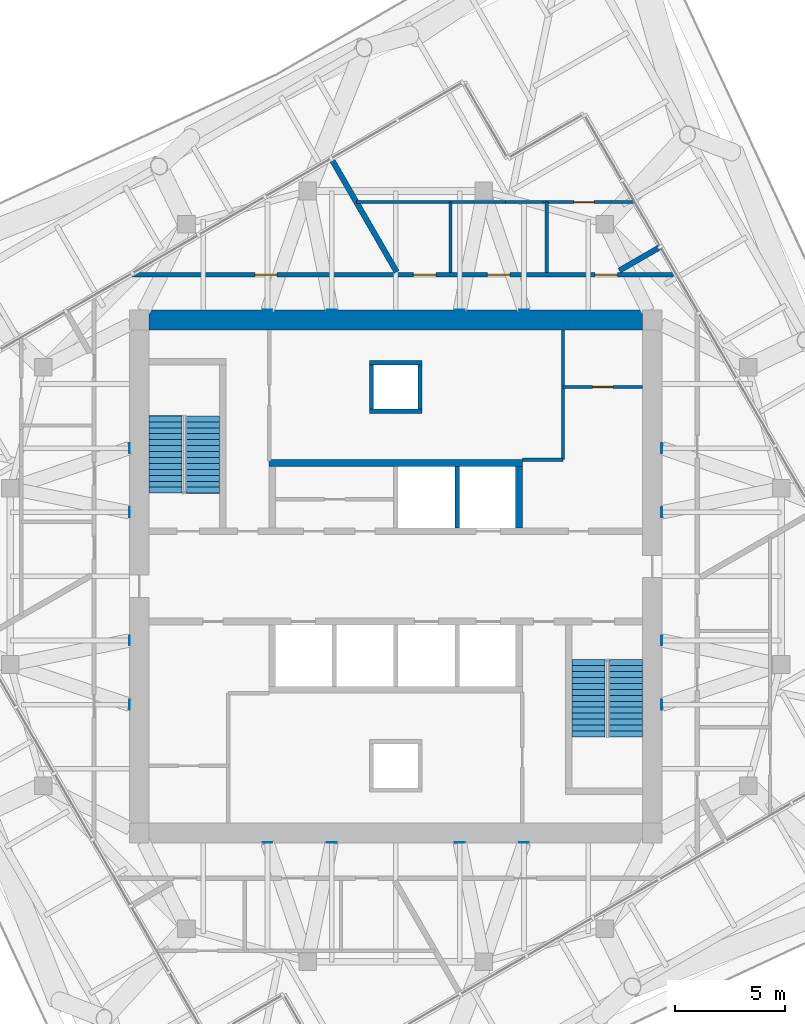
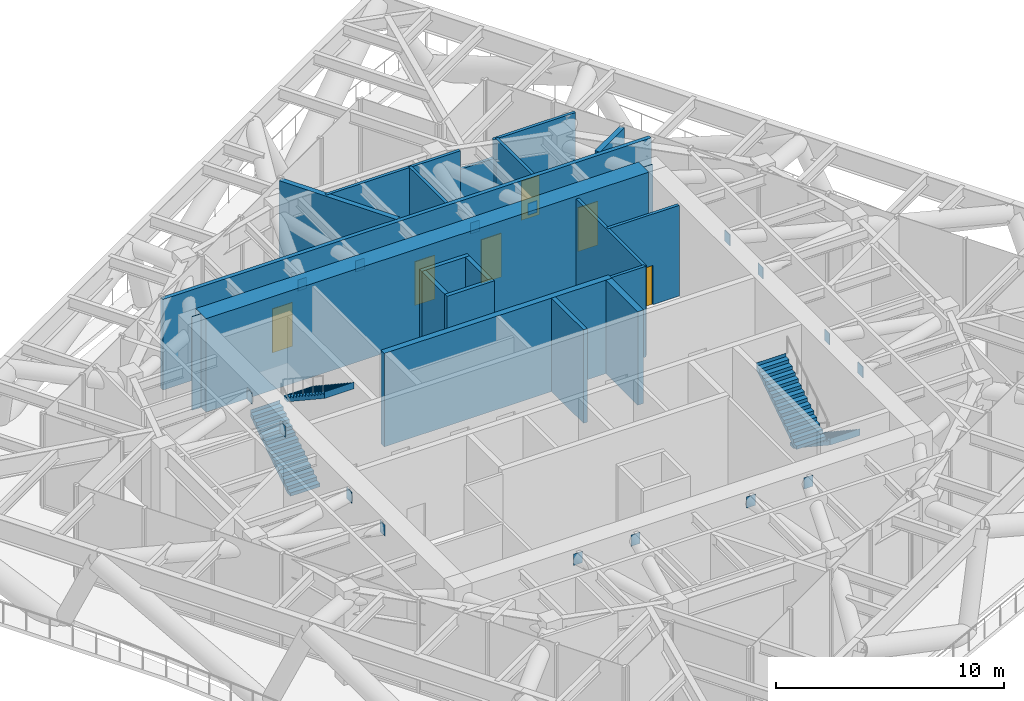
# One storey, part 10 of 12: 19 walls, 16 discrete accessories, 6 doors, 4 stair flights, 6 openings, 2 elements without a shape of their own.
"""IFC4 building model written with IfcOpenShell, lengths in metres."""

import ifcopenshell
import ifcopenshell.guid

model = None  # the IFC model being written
_history = None  # IfcOwnerHistory: only IFC2X3 demands one
_inside = {}  # id of a spatial element -> (the spatial element, [elements in it])
_under = {}  # id of a project, library or spatial element -> (it, [spatial elements below it])
_declared = {}  # id of a project -> (the project, [libraries it declares])
_typed = {}  # id of a type object -> (the type object, [elements of that type])
_made_of = {}  # id of a material, layer set ... -> (it, [elements and type objects made of it])


def new_model(schema):
    """Start an empty IFC model of exactly this schema.

    Asked for "IFC4X3", IfcOpenShell would pick the latest addendum, in which some entities
    have other attributes; the version numbers below select the first issue.
    IFC2X3 requires an IfcOwnerHistory on every rooted entity: one is made here for all.
    """
    global model, _history
    if schema == "IFC4X3":
        model = ifcopenshell.file(schema_version=(4, 3, 0, 0))
    else:
        model = ifcopenshell.file(schema=schema)
    _inside.clear()
    _under.clear()
    _declared.clear()
    _typed.clear()
    _made_of.clear()
    _history = None
    if model.schema == "IFC2X3":
        org = make("IfcOrganization", Name="unknown")
        user = make(
            "IfcPersonAndOrganization",
            ThePerson=make("IfcPerson", FamilyName="unknown"),
            TheOrganization=org,
        )
        app = make(
            "IfcApplication",
            ApplicationDeveloper=org,
            Version="unknown",
            ApplicationFullName="unknown",
            ApplicationIdentifier="unknown",
        )
        _history = make(
            "IfcOwnerHistory",
            OwningUser=user,
            OwningApplication=app,
            ChangeAction="ADDED",
            CreationDate=0,
        )
    return model


def make(cls, **values):
    """One entity of the class cls with the attributes given. An attribute that is None is left unset."""
    return model.create_entity(
        cls, **{name: value for name, value in values.items() if value is not None}
    )


def rooted(cls, **values):
    """An entity with a GlobalId (a new one), such as an element, a storey or a relation."""
    return make(cls, GlobalId=ifcopenshell.guid.new(), OwnerHistory=_history, **values)


def si_unit(unit_type, name, prefix=None):
    """IfcSIUnit, for example si_unit("LENGTHUNIT", "METRE", prefix="MILLI")."""
    return make("IfcSIUnit", UnitType=unit_type, Prefix=prefix, Name=name)


def assignment(units):
    """IfcUnitAssignment: the units of a project."""
    return None if units is None else make("IfcUnitAssignment", Units=units)


def point(xyz):
    """IfcCartesianPoint."""
    return None if xyz is None else make("IfcCartesianPoint", Coordinates=xyz)


def direction(xyz):
    """IfcDirection."""
    return None if xyz is None else make("IfcDirection", DirectionRatios=xyz)


def frame(location, z_axis=None, x_axis=None):
    """IfcAxis2Placement3D, a coordinate frame: its origin and axes. An axis left out is left unset."""
    return make(
        "IfcAxis2Placement3D",
        Location=point(location),
        Axis=direction(z_axis),
        RefDirection=direction(x_axis),
    )


def frame_2d(location, x_axis=None):
    """IfcAxis2Placement2D, a coordinate frame in the plane: its origin and x axis."""
    return make(
        "IfcAxis2Placement2D", Location=point(location), RefDirection=direction(x_axis)
    )


def origin():
    """The frame at (0, 0, 0) with its axes left unset."""
    return frame((0.0, 0.0, 0.0))


def origin_2d():
    """The frame at (0, 0) in the plane with its x axis left unset."""
    return frame_2d((0.0, 0.0))


def place(relative_to, where):
    """IfcLocalPlacement: puts the frame where relative to a parent placement (None: the world)."""
    return make(
        "IfcLocalPlacement", PlacementRelTo=relative_to, RelativePlacement=where
    )


def context(
    kind, dimensions, precision=None, world=None, true_north=None, identifier=None
):
    """IfcGeometricRepresentationContext, for example the 3D "Model" context."""
    return make(
        "IfcGeometricRepresentationContext",
        ContextIdentifier=identifier,
        ContextType=kind,
        CoordinateSpaceDimension=dimensions,
        Precision=precision,
        WorldCoordinateSystem=world,
        TrueNorth=true_north,
    )


def subcontext(parent, identifier, kind, view, scale=None):
    """IfcGeometricRepresentationSubContext, for example "Body" below "Model"."""
    return make(
        "IfcGeometricRepresentationSubContext",
        ContextIdentifier=identifier,
        ContextType=kind,
        ParentContext=parent,
        TargetScale=scale,
        TargetView=view,
    )


def project(units=None, contexts=None):
    """IfcProject with its units and contexts."""
    return rooted(
        "IfcProject",
        Name="project",
        RepresentationContexts=contexts,
        UnitsInContext=assignment(units),
    )


def spatial(cls, under=None, at=None, **own):
    """A site, building, storey or space (cls), placed at a placement, below another one or the project."""
    s = rooted(cls, ObjectPlacement=at, **own)
    if under is not None:
        _under.setdefault(under.id(), (under, []))[1].append(s)
    return s


def polyline(points):
    """IfcPolyline through the points."""
    return make("IfcPolyline", Points=[point(p) for p in points])


def profile(cls, at=None, kind="AREA", **sizes):
    """A parametric profile (cls). Its sizes go by their IFC names, for example OverallWidth=200.0."""
    return make(cls, ProfileType=kind, Position=at, **sizes)


def rectangle(**sizes):
    """IfcRectangleProfileDef."""
    return profile("IfcRectangleProfileDef", **sizes)


def outline(outer, holes=None, kind="AREA"):
    """IfcArbitraryClosedProfileDef: a profile drawn as a closed curve; with holes, ...WithVoids."""
    if holes is None:
        return make("IfcArbitraryClosedProfileDef", ProfileType=kind, OuterCurve=outer)
    return make(
        "IfcArbitraryProfileDefWithVoids",
        ProfileType=kind,
        OuterCurve=outer,
        InnerCurves=holes,
    )


def extrude(swept, where, along, depth):
    """IfcExtrudedAreaSolid: the profile swept, set in the frame where, extruded along a direction by depth."""
    return make(
        "IfcExtrudedAreaSolid",
        SweptArea=swept,
        Position=where,
        ExtrudedDirection=direction(along),
        Depth=depth,
    )


def shape(context_of_items, identifier, shape_type, items):
    """IfcShapeRepresentation: the items that make up one representation, for example the "Body"."""
    return make(
        "IfcShapeRepresentation",
        ContextOfItems=context_of_items,
        RepresentationIdentifier=identifier,
        RepresentationType=shape_type,
        Items=items,
    )


def material(Name=None, Category=None):
    """IfcMaterial."""
    return make("IfcMaterial", Name=Name, Category=Category)


def layer(
    of_material, thickness, ventilated=None, Name=None, Category=None, Priority=None
):
    """IfcMaterialLayer: one layer of a wall or slab, of a material (None: an air gap)."""
    return make(
        "IfcMaterialLayer",
        Material=of_material,
        LayerThickness=thickness,
        IsVentilated=ventilated,
        Name=Name,
        Category=Category,
        Priority=Priority,
    )


def layer_set(layers, Name=None):
    """IfcMaterialLayerSet."""
    return make("IfcMaterialLayerSet", MaterialLayers=layers, LayerSetName=Name)


def made_of(thing, what):
    """Note that an element or type object is made of a material, layer set ...; save() writes the relation."""
    if what is not None:
        _made_of.setdefault(what.id(), (what, []))[1].append(thing)
    return thing


def type_object(cls, material=None, **own):
    """A type object (cls), such as IfcWallType, which elements share."""
    return made_of(rooted(cls, **own), material)


def element(
    cls,
    number,
    at=None,
    inside=None,
    cuts=None,
    type_object=None,
    material=None,
    context=None,
    identifier="Body",
    shape_type=None,
    held_by="IfcProductDefinitionShape",
    body=None,
    shapes=None,
    **own,
):
    """One element of the class cls, such as IfcWall. Its Tag is "e" and its number.

    at: its placement. inside: the storey or other place that contains it. cuts: it is an
    opening in that element (IfcRelVoidsElement). A single representation is given by context,
    identifier, shape_type and body (its items); several are given by shapes. held_by: the class
    of the entity that holds the representations. save() writes the other relations.
    """
    e = rooted(cls, Tag="e%d" % number, ObjectPlacement=at, **own)
    if body is not None:
        shapes = [shape(context, identifier, shape_type, body)]
    if shapes is not None:
        e.Representation = make(held_by, Representations=shapes)
    if inside is not None:
        _inside.setdefault(inside.id(), (inside, []))[1].append(e)
    if cuts is not None:
        rooted(
            "IfcRelVoidsElement", RelatingBuildingElement=cuts, RelatedOpeningElement=e
        )
    if type_object is not None:
        _typed.setdefault(type_object.id(), (type_object, []))[1].append(e)
    return made_of(e, material)


def fill(opening, filler):
    """IfcRelFillsElement: the door or window that sits in an opening."""
    return rooted(
        "IfcRelFillsElement",
        RelatingOpeningElement=opening,
        RelatedBuildingElement=filler,
    )


def aggregate(whole, parts):
    """IfcRelAggregates: a whole, such as a stair, and the parts it consists of."""
    return rooted("IfcRelAggregates", RelatingObject=whole, RelatedObjects=parts)


def save(model, path):
    """Write the relations noted so far, then the file.

    IfcRelAggregates (storeys below a building ...), IfcRelContainedInSpatialStructure (elements
    in a storey), IfcRelDefinesByType, IfcRelAssociatesMaterial and IfcRelDeclares: one each for
    every whole, place, type object, material and project.
    """
    for whole, parts in _under.values():
        aggregate(whole, parts)
    for where, things in _inside.values():
        rooted(
            "IfcRelContainedInSpatialStructure",
            RelatedElements=things,
            RelatingStructure=where,
        )
    for kind, things in _typed.values():
        rooted("IfcRelDefinesByType", RelatedObjects=things, RelatingType=kind)
    for what, things in _made_of.values():
        rooted("IfcRelAssociatesMaterial", RelatedObjects=things, RelatingMaterial=what)
    for by, libraries in _declared.values():
        rooted("IfcRelDeclares", RelatingContext=by, RelatedDefinitions=libraries)
    model.write(path)


model = new_model("IFC4")

# Units and contexts
model_context = context("Model", 3, precision=1e-05, world=origin(), true_north=direction((0.0, 1.0)))
body_context = subcontext(model_context, "Body", "Model", "MODEL_VIEW")
ifc_project = project(units=[si_unit("LENGTHUNIT", "METRE"), si_unit("AREAUNIT", "SQUARE_METRE"), si_unit("VOLUMEUNIT", "CUBIC_METRE"), si_unit("PLANEANGLEUNIT", "RADIAN"), si_unit("MASSUNIT", "GRAM", prefix="KILO")], contexts=[model_context])

# Site, building, storey
site_placement = place(None, origin())
site = spatial("IfcSite", under=ifc_project, at=site_placement, CompositionType="ELEMENT")
building_placement = place(site_placement, origin())
building = spatial("IfcBuilding", under=site, at=building_placement, Name="Torsade Residences", CompositionType="ELEMENT")
storey_placement = place(building_placement, frame((0.0, 0.0, 203.199951171875)))
storey = spatial("IfcBuildingStorey", under=building, at=storey_placement, Name="L56", CompositionType="ELEMENT", Elevation=203.199951171875)

# Walls
ifc_material_1 = material(Name="Concrete 80 MPa", Category="concrete")
ifc_layer_1 = layer(ifc_material_1, 0.300048828125)
ifc_layer_set_1 = layer_set([ifc_layer_1], Name="Concrete 80 MPa")
wall_type_1 = type_object("IfcWallType", Name="CORE INTERNAL WALL 300", PredefinedType="SHEAR", material=ifc_layer_set_1)
wall_1_placement = place(storey_placement, frame((34.25, 35.14990234375, 0.0), z_axis=(0.0, 0.0, 1.0), x_axis=(1.0, 0.0, 0.0)))
element("IfcWall", 1, at=wall_1_placement, inside=storey, type_object=wall_type_1, Name="Core wall BN L56", PredefinedType="SHEAR", context=body_context, shape_type="SweptSolid", body=[
    extrude(rectangle(XDim=11.5, YDim=0.300048828125, at=frame_2d((5.75, 0.0))), origin(), (0.0, 0.0, 1.0), 5.0),
])
wall_2_placement = place(storey_placement, frame((45.60009765625, 32.199951171875, 0.0), z_axis=(0.0, 0.0, 1.0), x_axis=(0.0, 1.0, 0.0)))
element("IfcWall", 2, at=wall_2_placement, inside=storey, type_object=wall_type_1, Name="Core wall DN4 L56", PredefinedType="SHEAR", context=body_context, shape_type="SweptSolid", body=[
    extrude(rectangle(XDim=2.800048828125, YDim=0.300048828125, at=frame_2d((1.39990234375, 0.0))), origin(), (0.0, 0.0, 1.0), 5.0),
])
ifc_material_2 = material(Name="Concrete 80 MPa", Category="concrete")
ifc_layer_2 = layer(ifc_material_2, 0.89990234375)
ifc_layer_set_2 = layer_set([ifc_layer_2], Name="Concrete 80 MPa")
wall_type_2 = type_object("IfcWallType", Name="CORE WALL 900", PredefinedType="SHEAR", material=ifc_layer_set_2)
wall_3_placement = place(storey_placement, frame((28.800048828125, 41.64990234375, 0.0), z_axis=(0.0, 0.0, 1.0), x_axis=(1.0, 0.0, 0.0)))
element("IfcWall", 3, at=wall_3_placement, inside=storey, type_object=wall_type_2, Name="Core wall N L56", PredefinedType="SHEAR", context=body_context, shape_type="SweptSolid", body=[
    extrude(outline(polyline([(0.0, -0.449951171875), (22.39990234375, -0.449951171875), (22.39990234375, -0.02490234375), (22.849853515625, -0.02490234375), (22.849853515625, 0.02490234375), (22.39990234375, 0.02490234375), (22.39990234375, 0.449951171875), (0.0, 0.449951171875), (0.0, 0.02490234375), (-0.449951171875, 0.02490234375), (-0.449951171875, -0.02490234375), (0.0, -0.02490234375), (0.0, -0.449951171875)])), origin(), (0.0, 0.0, 1.0), 5.0),
])

# Wall, openings, doors
ifc_material_3 = material(Name="Plasterboard on steel stud", Category="steel")
ifc_layer_3 = layer(ifc_material_3, 0.199951171875)
ifc_layer_set_3 = layer_set([ifc_layer_3], Name="Plasterboard on steel stud")
wall_type_3 = type_object("IfcWallType", Name="CORRIDOR WALL 200", PredefinedType="PARTITIONING", material=ifc_layer_set_3)
wall_4_placement = place(storey_placement, frame((52.713134765625, 43.699951171875, 0.0), z_axis=(0.0, 0.0, 1.0), x_axis=(-1.0, 0.0, 0.0)))
wall_4 = element("IfcWall", 4, at=wall_4_placement, inside=storey, type_object=wall_type_3, Name="Corridor wall L56", PredefinedType="PARTITIONING", context=body_context, shape_type="SweptSolid", body=[
    extrude(rectangle(XDim=24.7041015625, YDim=0.199951171875, at=frame_2d((12.35205078125, 0.0))), origin(), (0.0, 0.0, 1.0), 4.85009765625),
])
opening_1_placement = place(wall_4_placement, frame((18.094482421875, 0.0, 0.0)))
opening_1 = element("IfcOpeningElement", 5, at=opening_1_placement, cuts=wall_4, Name="Opening D01", PredefinedType="OPENING", context=body_context, shape_type="SweptSolid", body=[
    extrude(rectangle(XDim=1.02001953125, YDim=2.340087890625, at=frame_2d((0.510009765625, 1.169921875))), frame((0.0, 0.10986328125, 0.0), z_axis=(0.0, -1.0, 0.0), x_axis=(1.0, 0.0, 0.0)), (0.0, 0.0, 1.0), 0.219970703125),
])
opening_2_placement = place(wall_4_placement, frame((2.642333984375, 0.0, 0.0)))
opening_2 = element("IfcOpeningElement", 6, at=opening_2_placement, cuts=wall_4, Name="Opening D01", PredefinedType="OPENING", context=body_context, shape_type="SweptSolid", body=[
    extrude(rectangle(XDim=1.02001953125, YDim=2.340087890625, at=frame_2d((0.510009765625, 1.169921875))), frame((0.0, 0.10986328125, 0.0), z_axis=(0.0, -1.0, 0.0), x_axis=(1.0, 0.0, 0.0)), (0.0, 0.0, 1.0), 0.219970703125),
])
opening_3_placement = place(wall_4_placement, frame((7.533935546875, 0.0, 0.0)))
opening_3 = element("IfcOpeningElement", 7, at=opening_3_placement, cuts=wall_4, Name="Opening D01", PredefinedType="OPENING", context=body_context, shape_type="SweptSolid", body=[
    extrude(rectangle(XDim=1.02001953125, YDim=2.340087890625, at=frame_2d((0.510009765625, 1.169921875))), frame((0.0, 0.10986328125, 0.0), z_axis=(0.0, -1.0, 0.0), x_axis=(1.0, 0.0, 0.0)), (0.0, 0.0, 1.0), 0.219970703125),
])
opening_4_placement = place(wall_4_placement, frame((10.894287109375, 0.0, 0.0)))
opening_4 = element("IfcOpeningElement", 8, at=opening_4_placement, cuts=wall_4, Name="Opening D01", PredefinedType="OPENING", context=body_context, shape_type="SweptSolid", body=[
    extrude(rectangle(XDim=1.02001953125, YDim=2.340087890625, at=frame_2d((0.510009765625, 1.169921875))), frame((0.0, 0.10986328125, 0.0), z_axis=(0.0, -1.0, 0.0), x_axis=(1.0, 0.0, 0.0)), (0.0, 0.0, 1.0), 0.219970703125),
])
ifc_material_4 = material(Name="Solid-core timber fire door", Category="wood")
door_type_1 = type_object("IfcDoorType", Name="APARTMENT ENTRY DOOR 1020x2340", OperationType="NOTDEFINED", PredefinedType="DOOR", material=ifc_material_4)
door_1_placement = place(opening_1_placement, origin())
door_1 = element("IfcDoor", 9, at=door_1_placement, inside=storey, type_object=door_type_1, Name="Door Plant corridor to Air handling plant room", OperationType="SINGLE_SWING_RIGHT", OverallHeight=2.340087890625, OverallWidth=1.02001953125, PredefinedType="DOOR", context=body_context, shape_type="SweptSolid", body=[
    extrude(rectangle(XDim=1.02001953125, YDim=2.340087890625, at=frame_2d((0.510009765625, 1.169921875))), frame((0.0, 0.02490234375, 0.0), z_axis=(0.0, -1.0, 0.0), x_axis=(1.0, 0.0, 0.0)), (0.0, 0.0, 1.0), 0.050048828125),
])
fill(opening_1, door_1)
door_2_placement = place(opening_2_placement, origin())
door_2 = element("IfcDoor", 10, at=door_2_placement, inside=storey, type_object=door_type_1, Name="Door Plant corridor to Service lobby", OperationType="SINGLE_SWING_LEFT", OverallHeight=2.340087890625, OverallWidth=1.02001953125, PredefinedType="DOOR", context=body_context, shape_type="SweptSolid", body=[
    extrude(rectangle(XDim=1.02001953125, YDim=2.340087890625, at=frame_2d((0.510009765625, 1.169921875))), frame((0.0, 0.02490234375, 0.0), z_axis=(0.0, -1.0, 0.0), x_axis=(1.0, 0.0, 0.0)), (0.0, 0.0, 1.0), 0.050048828125),
])
fill(opening_2, door_2)
door_3_placement = place(opening_3_placement, origin())
door_3 = element("IfcDoor", 11, at=door_3_placement, inside=storey, type_object=door_type_1, Name="Door Plant corridor to Pump room", OperationType="SINGLE_SWING_LEFT", OverallHeight=2.340087890625, OverallWidth=1.02001953125, PredefinedType="DOOR", context=body_context, shape_type="SweptSolid", body=[
    extrude(rectangle(XDim=1.02001953125, YDim=2.340087890625, at=frame_2d((0.510009765625, 1.169921875))), frame((0.0, 0.02490234375, 0.0), z_axis=(0.0, -1.0, 0.0), x_axis=(1.0, 0.0, 0.0)), (0.0, 0.0, 1.0), 0.050048828125),
])
fill(opening_3, door_3)
door_4_placement = place(opening_4_placement, origin())
door_4 = element("IfcDoor", 12, at=door_4_placement, inside=storey, type_object=door_type_1, Name="Door Plant corridor to Plant cupboard", OperationType="SINGLE_SWING_RIGHT", OverallHeight=2.340087890625, OverallWidth=1.02001953125, PredefinedType="DOOR", context=body_context, shape_type="SweptSolid", body=[
    extrude(rectangle(XDim=1.02001953125, YDim=2.340087890625, at=frame_2d((0.510009765625, 1.169921875))), frame((0.0, 0.02490234375, 0.0), z_axis=(0.0, -1.0, 0.0), x_axis=(1.0, 0.0, 0.0)), (0.0, 0.0, 1.0), 0.050048828125),
])
fill(opening_4, door_4)

# Walls
ifc_material_5 = material(Name="Reinforced blockwork", Category="masonry")
ifc_layer_4 = layer(ifc_material_5, 0.199951171875)
ifc_layer_set_4 = layer_set([ifc_layer_4], Name="Reinforced blockwork")
wall_type_4 = type_object("IfcWallType", Name="LIFT SHAFT DIVIDING WALL 200", PredefinedType="SOLIDWALL", material=ifc_layer_set_4)
wall_5_placement = place(storey_placement, frame((42.800048828125, 32.199951171875, 0.0), z_axis=(0.0, 0.0, 1.0), x_axis=(0.0, 1.0, 0.0)))
element("IfcWall", 13, at=wall_5_placement, inside=storey, type_object=wall_type_4, Name="Core wall DN3 L56", PredefinedType="SOLIDWALL", context=body_context, shape_type="SweptSolid", body=[
    extrude(rectangle(XDim=2.800048828125, YDim=0.199951171875, at=frame_2d((1.39990234375, 0.0))), origin(), (0.0, 0.0, 1.0), 5.0),
])
ifc_material_6 = material(Name="Masonry-lined stud party wall", Category="masonry")
ifc_layer_5 = layer(ifc_material_6, 0.25)
ifc_layer_set_5 = layer_set([ifc_layer_5], Name="Masonry-lined stud party wall")
wall_type_5 = type_object("IfcWallType", Name="PARTY WALL 250", PredefinedType="PARTITIONING", material=ifc_layer_set_5)
wall_6_placement = place(storey_placement, frame((52.02685546875, 44.968994140625, 0.0), z_axis=(0.0, 0.0, 1.0), x_axis=(-0.865974878747, -0.500087501723, 0.0)))
element("IfcWall", 14, at=wall_6_placement, inside=storey, type_object=wall_type_5, Name="Party wall L56", PredefinedType="PARTITIONING", context=body_context, shape_type="SweptSolid", body=[
    extrude(rectangle(XDim=2.1611328125, YDim=0.25, at=frame_2d((1.08056640625, 0.0))), origin(), (0.0, 0.0, 1.0), 4.85009765625),
])
wall_7_placement = place(storey_placement, frame((37.06884765625, 48.976806640625, 0.0), z_axis=(0.0, 0.0, 1.0), x_axis=(0.500021028785, -0.866013262469, 0.0)))
element("IfcWall", 15, at=wall_7_placement, inside=storey, type_object=wall_type_5, Name="Party wall L56", PredefinedType="PARTITIONING", context=body_context, shape_type="SweptSolid", body=[
    extrude(rectangle(XDim=5.945556640625, YDim=0.25, at=frame_2d((2.97265625, 0.0))), origin(), (0.0, 0.0, 1.0), 4.85009765625),
])
ifc_material_7 = material(Name="Reinforced blockwork", Category="masonry")
ifc_layer_6 = layer(ifc_material_7, 0.199951171875)
ifc_layer_set_6 = layer_set([ifc_layer_6], Name="Reinforced blockwork")
wall_type_6 = type_object("IfcWallType", Name="RISER SHAFT WALL 200", PredefinedType="SOLIDWALL", material=ifc_layer_set_6)
for number, where, z_axis, x_axis, name in (
    (16, (38.89990234375, 37.60009765625, 0.0), (0.0, 0.0, 1.0), (0.0, 1.0, 0.0), "Core wall RS1a L56"),
    (17, (41.10009765625, 37.60009765625, 0.0), (0.0, 0.0, 1.0), (0.0, 1.0, 0.0), "Core wall RS1b L56"),
):
    element("IfcWall", number, at=place(storey_placement, frame(where, z_axis=z_axis, x_axis=x_axis)), inside=storey, type_object=wall_type_6, Name=name, PredefinedType="SOLIDWALL", context=body_context, shape_type="SweptSolid", body=[
        extrude(rectangle(XDim=2.0, YDim=0.199951171875, at=frame_2d((1.0, 0.0))), origin(), (0.0, 0.0, 1.0), 5.0),
    ])
for number, where, z_axis, x_axis, name in (
    (18, (38.800048828125, 37.5, 0.0), (0.0, 0.0, 1.0), (1.0, 0.0, 0.0), "Core wall RS1c L56"),
    (19, (38.800048828125, 39.699951171875, 0.0), (0.0, 0.0, 1.0), (1.0, 0.0, 0.0), "Core wall RS1d L56"),
):
    element("IfcWall", number, at=place(storey_placement, frame(where, z_axis=z_axis, x_axis=x_axis)), inside=storey, type_object=wall_type_6, Name=name, PredefinedType="SOLIDWALL", context=body_context, shape_type="SweptSolid", body=[
        extrude(rectangle(XDim=2.39990234375, YDim=0.199951171875, at=frame_2d((1.199951171875, 0.0))), origin(), (0.0, 0.0, 1.0), 5.0),
    ])
ifc_material_8 = material(Name="Reinforced blockwork", Category="masonry")
ifc_layer_7 = layer(ifc_material_8, 0.14990234375)
ifc_layer_set_7 = layer_set([ifc_layer_7], Name="Reinforced blockwork")
wall_type_7 = type_object("IfcWallType", Name="SERVICE ROOM WALL 150", PredefinedType="SOLIDWALL", material=ifc_layer_set_7)
wall_8_placement = place(storey_placement, frame((47.60009765625, 41.199951171875, 0.0), z_axis=(0.0, 0.0, 1.0), x_axis=(0.0, -1.0, 0.0)))
element("IfcWall", 20, at=wall_8_placement, inside=storey, type_object=wall_type_7, Name="Service room wall L56", PredefinedType="SOLIDWALL", context=body_context, shape_type="SweptSolid", body=[
    extrude(rectangle(XDim=5.89990234375, YDim=0.14990234375, at=frame_2d((2.949951171875, 0.0))), origin(), (0.0, 0.0, 1.0), 4.85009765625),
])
wall_9_placement = place(storey_placement, frame((47.60009765625, 35.300048828125, 0.0), z_axis=(0.0, 0.0, 1.0), x_axis=(-1.0, 0.0, 0.0)))
element("IfcWall", 21, at=wall_9_placement, inside=storey, type_object=wall_type_7, Name="Service room wall L56", PredefinedType="SOLIDWALL", context=body_context, shape_type="SweptSolid", body=[
    extrude(rectangle(XDim=1.85009765625, YDim=0.14990234375, at=frame_2d((0.925048828125, 0.0))), origin(), (0.0, 0.0, 1.0), 4.85009765625),
])

# Wall, opening, door
wall_10_placement = place(storey_placement, frame((47.60009765625, 38.60009765625, 0.0), z_axis=(0.0, 0.0, 1.0), x_axis=(1.0, 0.0, 0.0)))
wall_10 = element("IfcWall", 22, at=wall_10_placement, inside=storey, type_object=wall_type_7, Name="Service room wall L56", PredefinedType="SOLIDWALL", context=body_context, shape_type="SweptSolid", body=[
    extrude(rectangle(XDim=3.599853515625, YDim=0.14990234375, at=frame_2d((1.7998046875, 0.0))), origin(), (0.0, 0.0, 1.0), 4.85009765625),
])
opening_5_placement = place(wall_10_placement, frame((1.340087890625, 0.0, 0.0)))
opening_5 = element("IfcOpeningElement", 23, at=opening_5_placement, cuts=wall_10, Name="Opening D06", PredefinedType="OPENING", context=body_context, shape_type="SweptSolid", body=[
    extrude(rectangle(XDim=0.919921875, YDim=2.10009765625, at=frame_2d((0.4599609375, 1.050048828125))), frame((0.0, 0.0849609375, 0.0), z_axis=(0.0, -1.0, 0.0), x_axis=(1.0, 0.0, 0.0)), (0.0, 0.0, 1.0), 0.169921875),
])
ifc_material_9 = material(Name="Steel-framed fire door", Category="steel")
door_type_2 = type_object("IfcDoorType", Name="FIRE DOOR 920", OperationType="NOTDEFINED", PredefinedType="DOOR", material=ifc_material_9)
door_5_placement = place(opening_5_placement, origin())
door_5 = element("IfcDoor", 24, at=door_5_placement, inside=storey, type_object=door_type_2, Name="Door Refuse room to Linen store", OperationType="SINGLE_SWING_LEFT", OverallHeight=2.10009765625, OverallWidth=0.919921875, PredefinedType="DOOR", context=body_context, shape_type="SweptSolid", body=[
    extrude(rectangle(XDim=0.919921875, YDim=2.10009765625, at=frame_2d((0.4599609375, 1.050048828125))), frame((0.0, 0.02490234375, 0.0), z_axis=(0.0, -1.0, 0.0), x_axis=(1.0, 0.0, 0.0)), (0.0, 0.0, 1.0), 0.050048828125),
])
fill(opening_5, door_5)

# Walls
wall_11_placement = place(storey_placement, frame((46.854736328125, 43.800048828125, 0.0), z_axis=(0.0, 0.0, 1.0), x_axis=(0.0, 1.0, 0.0)))
element("IfcWall", 25, at=wall_11_placement, inside=storey, type_object=wall_type_7, Name="Service room wall L56", PredefinedType="SOLIDWALL", context=body_context, shape_type="SweptSolid", body=[
    extrude(rectangle(XDim=3.199951171875, YDim=0.14990234375, at=frame_2d((1.60009765625, 0.0))), origin(), (0.0, 0.0, 1.0), 4.85009765625),
])
wall_12_placement = place(storey_placement, frame((38.210205078125, 47.0, 0.0), z_axis=(0.0, 0.0, 1.0), x_axis=(1.0, 0.0, 0.0)))
element("IfcWall", 26, at=wall_12_placement, inside=storey, type_object=wall_type_7, Name="Service room wall L56", PredefinedType="SOLIDWALL", context=body_context, shape_type="SweptSolid", body=[
    extrude(rectangle(XDim=6.778076171875, YDim=0.14990234375, at=frame_2d((3.38916015625, 0.0))), origin(), (0.0, 0.0, 1.0), 4.85009765625),
])
wall_13_placement = place(storey_placement, frame((44.98828125, 47.0, 0.0), z_axis=(0.0, 0.0, 1.0), x_axis=(1.0, 0.0, 0.0)))
element("IfcWall", 27, at=wall_13_placement, inside=storey, type_object=wall_type_7, Name="Service room wall L56", PredefinedType="SOLIDWALL", context=body_context, shape_type="SweptSolid", body=[
    extrude(rectangle(XDim=1.690185546875, YDim=0.14990234375, at=frame_2d((0.84521484375, 0.0))), origin(), (0.0, 0.0, 1.0), 3.85009765625),
])

# Wall, opening, door
wall_14_placement = place(storey_placement, frame((46.678466796875, 47.0, 0.0), z_axis=(0.0, 0.0, 1.0), x_axis=(1.0, 0.0, 0.0)))
wall_14 = element("IfcWall", 28, at=wall_14_placement, inside=storey, type_object=wall_type_7, Name="Service room wall L56", PredefinedType="SOLIDWALL", context=body_context, shape_type="SweptSolid", body=[
    extrude(rectangle(XDim=4.129638671875, YDim=0.14990234375, at=frame_2d((2.06494140625, 0.0))), origin(), (0.0, 0.0, 1.0), 4.85009765625),
])
opening_6_placement = place(wall_14_placement, frame((1.416015625, 0.0, 0.0)))
opening_6 = element("IfcOpeningElement", 29, at=opening_6_placement, cuts=wall_14, Name="Opening D06", PredefinedType="OPENING", context=body_context, shape_type="SweptSolid", body=[
    extrude(rectangle(XDim=0.919921875, YDim=2.10009765625, at=frame_2d((0.4599609375, 1.050048828125))), frame((0.0, 0.0849609375, 0.0), z_axis=(0.0, -1.0, 0.0), x_axis=(1.0, 0.0, 0.0)), (0.0, 0.0, 1.0), 0.169921875),
])
door_6_placement = place(opening_6_placement, origin())
door_6 = element("IfcDoor", 30, at=door_6_placement, inside=storey, type_object=door_type_2, Name="Door Service lobby to Electrical switch room", OperationType="SINGLE_SWING_LEFT", OverallHeight=2.10009765625, OverallWidth=0.919921875, PredefinedType="DOOR", context=body_context, shape_type="SweptSolid", body=[
    extrude(rectangle(XDim=0.919921875, YDim=2.10009765625, at=frame_2d((0.4599609375, 1.050048828125))), frame((0.0, 0.02490234375, 0.0), z_axis=(0.0, -1.0, 0.0), x_axis=(1.0, 0.0, 0.0)), (0.0, 0.0, 1.0), 0.050048828125),
])
fill(opening_6, door_6)

# Wall
wall_15_placement = place(storey_placement, frame((42.483642578125, 43.800048828125, 0.0), z_axis=(0.0, 0.0, 1.0), x_axis=(0.0, 1.0, 0.0)))
element("IfcWall", 31, at=wall_15_placement, inside=storey, type_object=wall_type_7, Name="Service room wall L56", PredefinedType="SOLIDWALL", context=body_context, shape_type="SweptSolid", body=[
    extrude(rectangle(XDim=3.199951171875, YDim=0.14990234375, at=frame_2d((1.60009765625, 0.0))), origin(), (0.0, 0.0, 1.0), 4.85009765625),
])

# Stair, stair flights
ifc_material_10 = material(Name="Precast concrete 40 MPa", Category="concrete")
stair_type = type_object("IfcStairType", Name="HALF-TURN FIRE STAIR 1500x5000", PredefinedType="HALF_TURN_STAIR", material=ifc_material_10)
stair_1_placement = place(storey_placement, origin())
stair_1 = element("IfcStair", 32, at=stair_1_placement, inside=storey, type_object=stair_type, Name="Stair ST1 L56", PredefinedType="HALF_TURN_STAIR")
ifc_material_11 = material(Name="Precast concrete 40 MPa", Category="concrete")
stair_flight_type = type_object("IfcStairFlightType", Name="PRECAST STAIR FLIGHT 1500x2500", PredefinedType="STRAIGHT", material=ifc_material_11)
stair_flight_1_placement = place(storey_placement, frame((29.550048828125, 33.780029296875, 0.0), z_axis=(0.0, 0.0, 1.0), x_axis=(0.0, 1.0, 0.0)))
stair_flight_1 = element("IfcStairFlight", 33, at=stair_flight_1_placement, type_object=stair_flight_type, Name="ST1 flight 1", NumberOfRisers=14, NumberOfTreads=13, PredefinedType="STRAIGHT", RiserHeight=0.178571429, TreadLength=0.27, context=body_context, shape_type="SweptSolid", body=[
    extrude(outline(polyline([(0.0, 0.0), (0.0, 0.178466796875), (0.27001953125, 0.178466796875), (0.27001953125, 0.357177734375), (0.5400390625, 0.357177734375), (0.5400390625, 0.53564453125), (0.81005859375, 0.53564453125), (0.81005859375, 0.71435546875), (1.080078125, 0.71435546875), (1.080078125, 0.892822265625), (1.35009765625, 0.892822265625), (1.35009765625, 1.071533203125), (1.6201171875, 1.071533203125), (1.6201171875, 1.25), (1.889892578125, 1.25), (1.889892578125, 1.428466796875), (2.159912109375, 1.428466796875), (2.159912109375, 1.607177734375), (2.429931640625, 1.607177734375), (2.429931640625, 1.78564453125), (2.699951171875, 1.78564453125), (2.699951171875, 1.96435546875), (2.969970703125, 1.96435546875), (2.969970703125, 2.142822265625), (3.239990234375, 2.142822265625), (3.239990234375, 2.321533203125), (3.510009765625, 2.321533203125), (3.510009765625, 2.5), (3.52001953125, 2.5), (3.52001953125, 2.1416015625), (3.510009765625, 2.1416015625), (0.271728515625, 0.0), (0.0, 0.0)])), frame((0.0, 0.75, 0.0), z_axis=(0.0, -1.0, 0.0), x_axis=(1.0, 0.0, 0.0)), (0.0, 0.0, 1.0), 1.5),
])
stair_flight_2_placement = place(storey_placement, frame((31.25, 37.2900390625, 2.5), z_axis=(0.0, 0.0, 1.0), x_axis=(0.0, -1.0, 0.0)))
stair_flight_2 = element("IfcStairFlight", 34, at=stair_flight_2_placement, type_object=stair_flight_type, Name="ST1 flight 2", NumberOfRisers=14, NumberOfTreads=13, PredefinedType="STRAIGHT", RiserHeight=0.178571429, TreadLength=0.27, context=body_context, shape_type="SweptSolid", body=[
    extrude(outline(polyline([(0.0, 0.0), (0.0, 0.178466796875), (0.27001953125, 0.178466796875), (0.27001953125, 0.357177734375), (0.5400390625, 0.357177734375), (0.5400390625, 0.53564453125), (0.81005859375, 0.53564453125), (0.81005859375, 0.71435546875), (1.080078125, 0.71435546875), (1.080078125, 0.892822265625), (1.35009765625, 0.892822265625), (1.35009765625, 1.071533203125), (1.6201171875, 1.071533203125), (1.6201171875, 1.25), (1.889892578125, 1.25), (1.889892578125, 1.428466796875), (2.159912109375, 1.428466796875), (2.159912109375, 1.607177734375), (2.429931640625, 1.607177734375), (2.429931640625, 1.78564453125), (2.699951171875, 1.78564453125), (2.699951171875, 1.96435546875), (2.969970703125, 1.96435546875), (2.969970703125, 2.142822265625), (3.239990234375, 2.142822265625), (3.239990234375, 2.321533203125), (3.510009765625, 2.321533203125), (3.510009765625, 2.5), (3.52001953125, 2.5), (3.52001953125, 2.1416015625), (3.510009765625, 2.1416015625), (0.271728515625, 0.0), (0.0, 0.0)])), frame((0.0, 0.75, 0.0), z_axis=(0.0, -1.0, 0.0), x_axis=(1.0, 0.0, 0.0)), (0.0, 0.0, 1.0), 1.5),
])
aggregate(stair_1, [stair_flight_1, stair_flight_2])

stair_2_placement = place(storey_placement, origin())
stair_2 = element("IfcStair", 35, at=stair_2_placement, inside=storey, type_object=stair_type, Name="Stair ST2 L56", PredefinedType="HALF_TURN_STAIR")
stair_flight_3_placement = place(storey_placement, frame((50.449951171875, 26.219970703125, 0.0), z_axis=(0.0, 0.0, 1.0), x_axis=(0.0, -1.0, 0.0)))
stair_flight_3 = element("IfcStairFlight", 36, at=stair_flight_3_placement, type_object=stair_flight_type, Name="ST2 flight 1", NumberOfRisers=14, NumberOfTreads=13, PredefinedType="STRAIGHT", RiserHeight=0.178571429, TreadLength=0.27, context=body_context, shape_type="SweptSolid", body=[
    extrude(outline(polyline([(0.0, 0.0), (0.0, 0.178466796875), (0.27001953125, 0.178466796875), (0.27001953125, 0.357177734375), (0.5400390625, 0.357177734375), (0.5400390625, 0.53564453125), (0.81005859375, 0.53564453125), (0.81005859375, 0.71435546875), (1.080078125, 0.71435546875), (1.080078125, 0.892822265625), (1.35009765625, 0.892822265625), (1.35009765625, 1.071533203125), (1.6201171875, 1.071533203125), (1.6201171875, 1.25), (1.889892578125, 1.25), (1.889892578125, 1.428466796875), (2.159912109375, 1.428466796875), (2.159912109375, 1.607177734375), (2.429931640625, 1.607177734375), (2.429931640625, 1.78564453125), (2.699951171875, 1.78564453125), (2.699951171875, 1.96435546875), (2.969970703125, 1.96435546875), (2.969970703125, 2.142822265625), (3.239990234375, 2.142822265625), (3.239990234375, 2.321533203125), (3.510009765625, 2.321533203125), (3.510009765625, 2.5), (3.52001953125, 2.5), (3.52001953125, 2.1416015625), (3.510009765625, 2.1416015625), (0.271728515625, 0.0), (0.0, 0.0)])), frame((0.0, 0.75, 0.0), z_axis=(0.0, -1.0, 0.0), x_axis=(1.0, 0.0, 0.0)), (0.0, 0.0, 1.0), 1.5),
])
stair_flight_4_placement = place(storey_placement, frame((48.75, 22.7099609375, 2.5), z_axis=(0.0, 0.0, 1.0), x_axis=(0.0, 1.0, 0.0)))
stair_flight_4 = element("IfcStairFlight", 37, at=stair_flight_4_placement, type_object=stair_flight_type, Name="ST2 flight 2", NumberOfRisers=14, NumberOfTreads=13, PredefinedType="STRAIGHT", RiserHeight=0.178571429, TreadLength=0.27, context=body_context, shape_type="SweptSolid", body=[
    extrude(outline(polyline([(0.0, 0.0), (0.0, 0.178466796875), (0.27001953125, 0.178466796875), (0.27001953125, 0.357177734375), (0.5400390625, 0.357177734375), (0.5400390625, 0.53564453125), (0.81005859375, 0.53564453125), (0.81005859375, 0.71435546875), (1.080078125, 0.71435546875), (1.080078125, 0.892822265625), (1.35009765625, 0.892822265625), (1.35009765625, 1.071533203125), (1.6201171875, 1.071533203125), (1.6201171875, 1.25), (1.889892578125, 1.25), (1.889892578125, 1.428466796875), (2.159912109375, 1.428466796875), (2.159912109375, 1.607177734375), (2.429931640625, 1.607177734375), (2.429931640625, 1.78564453125), (2.699951171875, 1.78564453125), (2.699951171875, 1.96435546875), (2.969970703125, 1.96435546875), (2.969970703125, 2.142822265625), (3.239990234375, 2.142822265625), (3.239990234375, 2.321533203125), (3.510009765625, 2.321533203125), (3.510009765625, 2.5), (3.52001953125, 2.5), (3.52001953125, 2.1416015625), (3.510009765625, 2.1416015625), (0.271728515625, 0.0), (0.0, 0.0)])), frame((0.0, 0.75, 0.0), z_axis=(0.0, -1.0, 0.0), x_axis=(1.0, 0.0, 0.0)), (0.0, 0.0, 1.0), 1.5),
])
aggregate(stair_2, [stair_flight_3, stair_flight_4])

# Discrete accessories
ifc_material_12 = material(Name="Steel grade 350", Category="steel")
ifc_layer_8 = layer(ifc_material_12, 0.031982421875)
ifc_layer_set_8 = layer_set([ifc_layer_8], Name="Steel grade 350")
discrete_accessory_type = type_object("IfcDiscreteAccessoryType", Name="CAST-IN PLATE 450x600x32", PredefinedType="ANCHORPLATE", material=ifc_layer_set_8)
for number, where, z_axis, x_axis, name in (
    (38, (52.083984375, 27.08740234375, 4.135986328125), (0.0, 0.0, 1.0), (1.0, 0.0, 0.0), "Cast-in plate PB1 PB-L57-IR01IE03"),
    (39, (52.083984375, 24.175048828125, 4.135986328125), (0.0, 0.0, 1.0), (1.0, 0.0, 0.0), "Cast-in plate PB1 PB-L57-IR01IE02"),
    (40, (52.083984375, 32.91259765625, 4.135986328125), (0.0, 0.0, 1.0), (1.0, 0.0, 0.0), "Cast-in plate PB1 PB-L57-IR02IE05"),
    (41, (52.083984375, 35.824951171875, 4.135986328125), (0.0, 0.0, 1.0), (1.0, 0.0, 0.0), "Cast-in plate PB1 PB-L57-IR02IE06"),
):
    element("IfcDiscreteAccessory", number, at=place(storey_placement, frame(where, z_axis=z_axis, x_axis=x_axis)), inside=storey, type_object=discrete_accessory_type, Name=name, PredefinedType="ANCHORPLATE", context=body_context, shape_type="SweptSolid", body=[
        extrude(rectangle(XDim=0.031982421875, YDim=0.449951171875, at=origin_2d()), origin(), (0.0, 0.0, 1.0), 0.60009765625),
    ])
for number, where, z_axis, x_axis, name in (
    (42, (42.91259765625, 42.083984375, 4.135986328125), (0.0, 0.0, 1.0), (1.0, 0.0, 0.0), "Cast-in plate PB1 PB-L57-IR05IN05"),
    (43, (45.824951171875, 42.083984375, 4.135986328125), (0.0, 0.0, 1.0), (1.0, 0.0, 0.0), "Cast-in plate PB1 PB-L57-IR05IN06"),
    (44, (37.08740234375, 42.083984375, 4.135986328125), (0.0, 0.0, 1.0), (1.0, 0.0, 0.0), "Cast-in plate PB1 PB-L57-IR06IN03"),
    (45, (34.175048828125, 42.083984375, 4.135986328125), (0.0, 0.0, 1.0), (1.0, 0.0, 0.0), "Cast-in plate PB1 PB-L57-IR06IN02"),
):
    element("IfcDiscreteAccessory", number, at=place(storey_placement, frame(where, z_axis=z_axis, x_axis=x_axis)), inside=storey, type_object=discrete_accessory_type, Name=name, PredefinedType="ANCHORPLATE", context=body_context, shape_type="SweptSolid", body=[
        extrude(rectangle(XDim=0.449951171875, YDim=0.031982421875, at=origin_2d()), origin(), (0.0, 0.0, 1.0), 0.60009765625),
    ])
for number, where, z_axis, x_axis, name in (
    (46, (27.916015625, 32.91259765625, 4.135986328125), (0.0, 0.0, 1.0), (1.0, 0.0, 0.0), "Cast-in plate PB1 PB-L57-IR09IW03"),
    (47, (27.916015625, 35.824951171875, 4.135986328125), (0.0, 0.0, 1.0), (1.0, 0.0, 0.0), "Cast-in plate PB1 PB-L57-IR09IW02"),
    (48, (27.916015625, 27.08740234375, 4.135986328125), (0.0, 0.0, 1.0), (1.0, 0.0, 0.0), "Cast-in plate PB1 PB-L57-IR10IW05"),
    (49, (27.916015625, 24.175048828125, 4.135986328125), (0.0, 0.0, 1.0), (1.0, 0.0, 0.0), "Cast-in plate PB1 PB-L57-IR10IW06"),
):
    element("IfcDiscreteAccessory", number, at=place(storey_placement, frame(where, z_axis=z_axis, x_axis=x_axis)), inside=storey, type_object=discrete_accessory_type, Name=name, PredefinedType="ANCHORPLATE", context=body_context, shape_type="SweptSolid", body=[
        extrude(rectangle(XDim=0.031982421875, YDim=0.449951171875, at=origin_2d()), origin(), (0.0, 0.0, 1.0), 0.60009765625),
    ])
for number, where, z_axis, x_axis, name in (
    (50, (37.08740234375, 17.916015625, 4.135986328125), (0.0, 0.0, 1.0), (1.0, 0.0, 0.0), "Cast-in plate PB1 PB-L57-IR13IS05"),
    (51, (34.175048828125, 17.916015625, 4.135986328125), (0.0, 0.0, 1.0), (1.0, 0.0, 0.0), "Cast-in plate PB1 PB-L57-IR13IS06"),
    (52, (42.91259765625, 17.916015625, 4.135986328125), (0.0, 0.0, 1.0), (1.0, 0.0, 0.0), "Cast-in plate PB1 PB-L57-IR14IS03"),
    (53, (45.824951171875, 17.916015625, 4.135986328125), (0.0, 0.0, 1.0), (1.0, 0.0, 0.0), "Cast-in plate PB1 PB-L57-IR14IS02"),
):
    element("IfcDiscreteAccessory", number, at=place(storey_placement, frame(where, z_axis=z_axis, x_axis=x_axis)), inside=storey, type_object=discrete_accessory_type, Name=name, PredefinedType="ANCHORPLATE", context=body_context, shape_type="SweptSolid", body=[
        extrude(rectangle(XDim=0.449951171875, YDim=0.031982421875, at=origin_2d()), origin(), (0.0, 0.0, 1.0), 0.60009765625),
    ])

save(model, "model.ifc")
